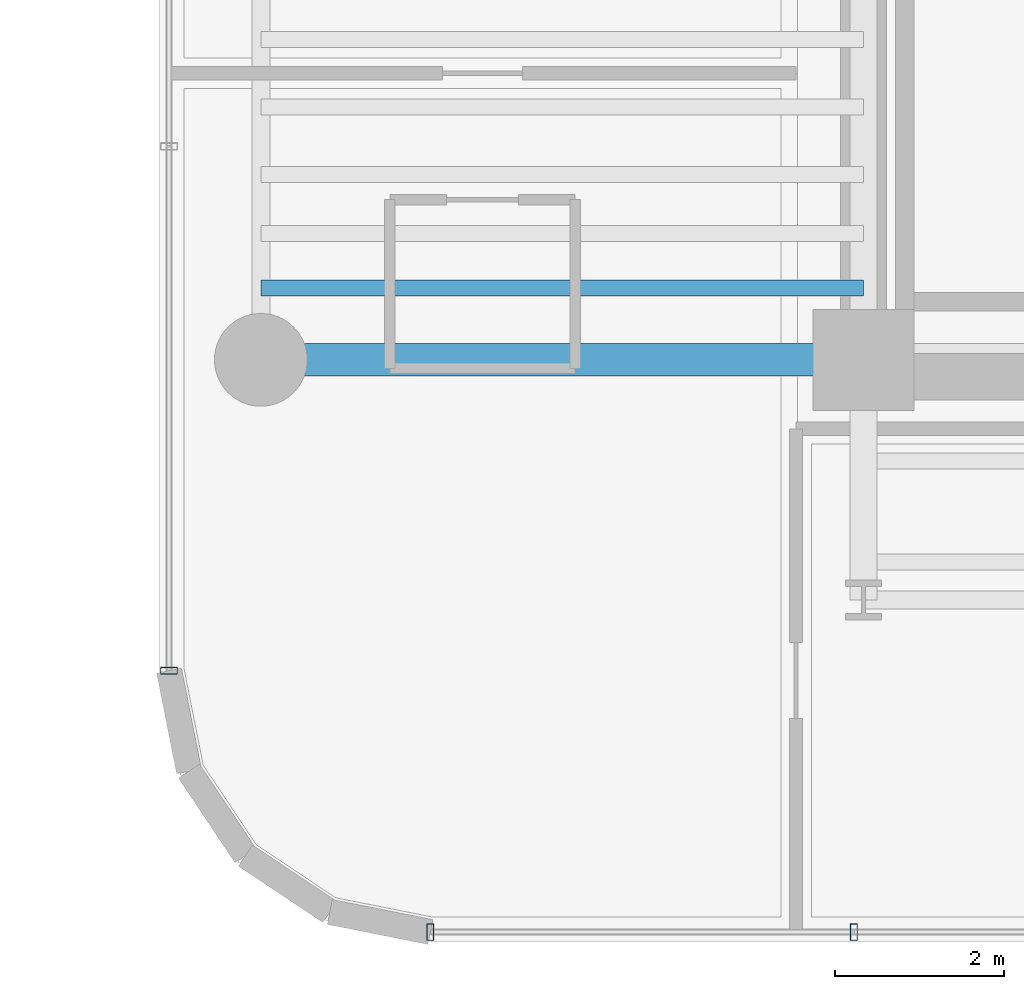
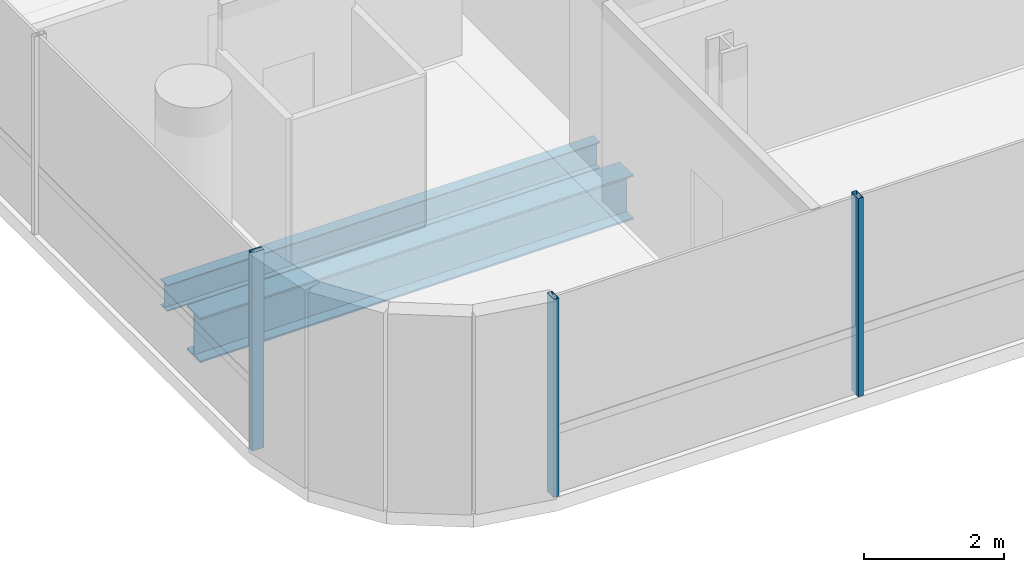
# One storey, part 2 of 33: 3 members, 2 beams, 2 elements without a shape of their own.
"""IFC4 building model written with IfcOpenShell, lengths in metres."""

from ifc_helpers import new_model, si_unit, direction, frame, origin, origin_2d, place, context, subcontext, project, spatial, hollow_rectangle, i_section, extrude, source, transform, mapped, material, material_profile, profile_set, type_object, element, aggregate, save


model = new_model("IFC4")

# Units and contexts
model_context = context("Model", 3, precision=1e-05, world=origin(), true_north=direction((0.0, 1.0)))
body_context = subcontext(model_context, "Body", "Model", "MODEL_VIEW")
ifc_project = project(units=[si_unit("LENGTHUNIT", "METRE"), si_unit("AREAUNIT", "SQUARE_METRE"), si_unit("VOLUMEUNIT", "CUBIC_METRE"), si_unit("PLANEANGLEUNIT", "RADIAN"), si_unit("MASSUNIT", "GRAM", prefix="KILO")], contexts=[model_context])

# Site, building, storey
site_placement = place(None, origin())
site = spatial("IfcSite", under=ifc_project, at=site_placement, CompositionType="ELEMENT")
building_placement = place(site_placement, origin())
building = spatial("IfcBuilding", under=site, at=building_placement, Name="Valdorenza Pilgrim Sanctuary Tower", CompositionType="ELEMENT")
storey_placement = place(building_placement, frame((0.0, 0.0, 157.5)))
storey = spatial("IfcBuildingStorey", under=building, at=storey_placement, Name="L40", CompositionType="ELEMENT", Elevation=157.5)

# Beams
ifc_material_1 = material(Name="Steel ASTM A992 Grade 50", Category="steel")
ifc_material_profile_1 = material_profile(ifc_material_1, i_section(OverallWidth=0.382080078125, OverallDepth=0.779052734375, WebThickness=0.01806640625, FlangeThickness=0.030029296875, at=origin_2d()), Name="W30X191")
ifc_profile_set_1 = profile_set([ifc_material_profile_1], Name="Steel ASTM A992 Grade 50")
beam_type_1 = type_object("IfcBeamType", Name="STR-BM-GRD-W30", PredefinedType="BEAM", material=ifc_profile_set_1)
shared_shape_1 = source(origin(), body_context, "Body", "SweptSolid", [
    extrude(i_section(OverallWidth=0.382080078125, OverallDepth=0.779052734375, WebThickness=0.01806640625, FlangeThickness=0.030029296875, at=origin_2d()), origin(), (0.0, 0.0, 1.0), 7.150146484375),
])
beam_1_placement = place(storey_placement, frame((-29.800048828125, -10.60009765625, -0.62939453125), z_axis=(1.0, 0.0, 0.0), x_axis=(0.0, 1.0, 0.0)))
element("IfcBeam", 1, at=beam_1_placement, inside=storey, type_object=beam_type_1, Name="L40 Floor Girder WA-XW-S1", PredefinedType="BEAM", context=body_context, shape_type="MappedRepresentation", body=[
    mapped(shared_shape_1, transform((0.0, 0.0, 0.0), x_axis=(1.0, 0.0, 0.0), y_axis=(0.0, 1.0, 0.0), z_axis=(0.0, 0.0, 1.0), scale=1.0)),
])
ifc_material_profile_2 = material_profile(ifc_material_1, i_section(OverallWidth=0.19091796875, OverallDepth=0.45703125, WebThickness=0.009033203125, FlangeThickness=0.014404296875, at=origin_2d()), Name="W18X50")
ifc_profile_set_2 = profile_set([ifc_material_profile_2], Name="Steel ASTM A992 Grade 50")
beam_type_2 = type_object("IfcBeamType", Name="STR-BM-JST-W18B", PredefinedType="JOIST", material=ifc_profile_set_2)
shared_shape_2 = source(origin(), body_context, "Body", "SweptSolid", [
    extrude(i_section(OverallWidth=0.19091796875, OverallDepth=0.45703125, WebThickness=0.009033203125, FlangeThickness=0.014404296875, at=origin_2d()), origin(), (0.0, 0.0, 1.0), 7.150146484375),
])
beam_2_placement = place(storey_placement, frame((-29.800048828125, -9.75, -0.468505859375), z_axis=(1.0, 0.0, 0.0), x_axis=(0.0, 1.0, 0.0)))
element("IfcBeam", 2, at=beam_2_placement, inside=storey, type_object=beam_type_2, Name="L40 Composite Floor Joist JST-WA-1", PredefinedType="JOIST", context=body_context, shape_type="MappedRepresentation", body=[
    mapped(shared_shape_2, transform((0.0, 0.0, 0.0), x_axis=(1.0, 0.0, 0.0), y_axis=(0.0, 1.0, 0.0), z_axis=(0.0, 0.0, 1.0), scale=1.0)),
])

# Curtain wall, member
ifc_material_2 = material(Name="Curtain-wall IGU glazing", Category="glass")
curtain_wall_type = type_object("IfcCurtainWallType", Name="CW-SYS-02", PredefinedType="NOTDEFINED", material=ifc_material_2)
curtain_wall_1_placement = place(storey_placement, origin())
curtain_wall_1 = element("IfcCurtainWall", 3, at=curtain_wall_1_placement, inside=storey, type_object=curtain_wall_type, Name="L40 Curtain Wall CW-L40-1-1S1", PredefinedType="NOTDEFINED")
ifc_material_3 = material(Name="Anodised aluminium AW-6060", Category="aluminium")
ifc_material_profile_3 = material_profile(ifc_material_3, hollow_rectangle(XDim=0.0849609375, YDim=0.199951171875, WallThickness=0.0048828125, at=origin_2d()), Name="ALU-M 200x85x5")
ifc_profile_set_3 = profile_set([ifc_material_profile_3], Name="Anodised aluminium AW-6060")
member_type = type_object("IfcMemberType", Name="CW-MUL-02", PredefinedType="MULLION", material=ifc_profile_set_3)
shared_shape_3 = source(origin(), body_context, "Body", "SweptSolid", [
    extrude(hollow_rectangle(XDim=0.0849609375, YDim=0.199951171875, WallThickness=0.0048828125, at=origin_2d()), origin(), (0.0, 0.0, 1.0), 3.4599609375),
])
member_1_placement = place(storey_placement, frame((-30.889892578125, -14.289306640625, 0.0), z_axis=(0.0, 0.0, 1.0), x_axis=(0.0, 1.0, 0.0)))
member_1 = element("IfcMember", 4, at=member_1_placement, type_object=member_type, Name="CW-L40-1-1S1 Mullion 1", PredefinedType="MULLION", context=body_context, shape_type="MappedRepresentation", body=[
    mapped(shared_shape_3, transform((0.0, 0.0, 0.0), x_axis=(1.0, 0.0, 0.0), y_axis=(0.0, 1.0, 0.0), z_axis=(0.0, 0.0, 1.0), scale=1.0)),
])
aggregate(curtain_wall_1, [member_1])

# Curtain wall, members
curtain_wall_2_placement = place(storey_placement, origin())
curtain_wall_2 = element("IfcCurtainWall", 5, at=curtain_wall_2_placement, inside=storey, type_object=curtain_wall_type, Name="L40 Curtain Wall CW-L40-1-26", PredefinedType="NOTDEFINED")
member_2_placement = place(storey_placement, frame((-22.76318359375, -17.389892578125, 0.0), z_axis=(0.0, 0.0, 1.0), x_axis=(-1.0, 0.0, 0.0)))
member_2 = element("IfcMember", 6, at=member_2_placement, type_object=member_type, Name="CW-L40-1-26 Mullion 3", PredefinedType="MULLION", context=body_context, shape_type="MappedRepresentation", body=[
    mapped(shared_shape_3, transform((0.0, 0.0, 0.0), x_axis=(1.0, 0.0, 0.0), y_axis=(0.0, 1.0, 0.0), z_axis=(0.0, 0.0, 1.0), scale=1.0)),
])
member_3_placement = place(storey_placement, frame((-27.789306640625, -17.389892578125, 0.0), z_axis=(0.0, 0.0, 1.0), x_axis=(-1.0, 0.0, 0.0)))
member_3 = element("IfcMember", 7, at=member_3_placement, type_object=member_type, Name="CW-L40-1-26 Mullion 4", PredefinedType="MULLION", context=body_context, shape_type="MappedRepresentation", body=[
    mapped(shared_shape_3, transform((0.0, 0.0, 0.0), x_axis=(1.0, 0.0, 0.0), y_axis=(0.0, 1.0, 0.0), z_axis=(0.0, 0.0, 1.0), scale=1.0)),
])
aggregate(curtain_wall_2, [member_2, member_3])

save(model, "model.ifc")
